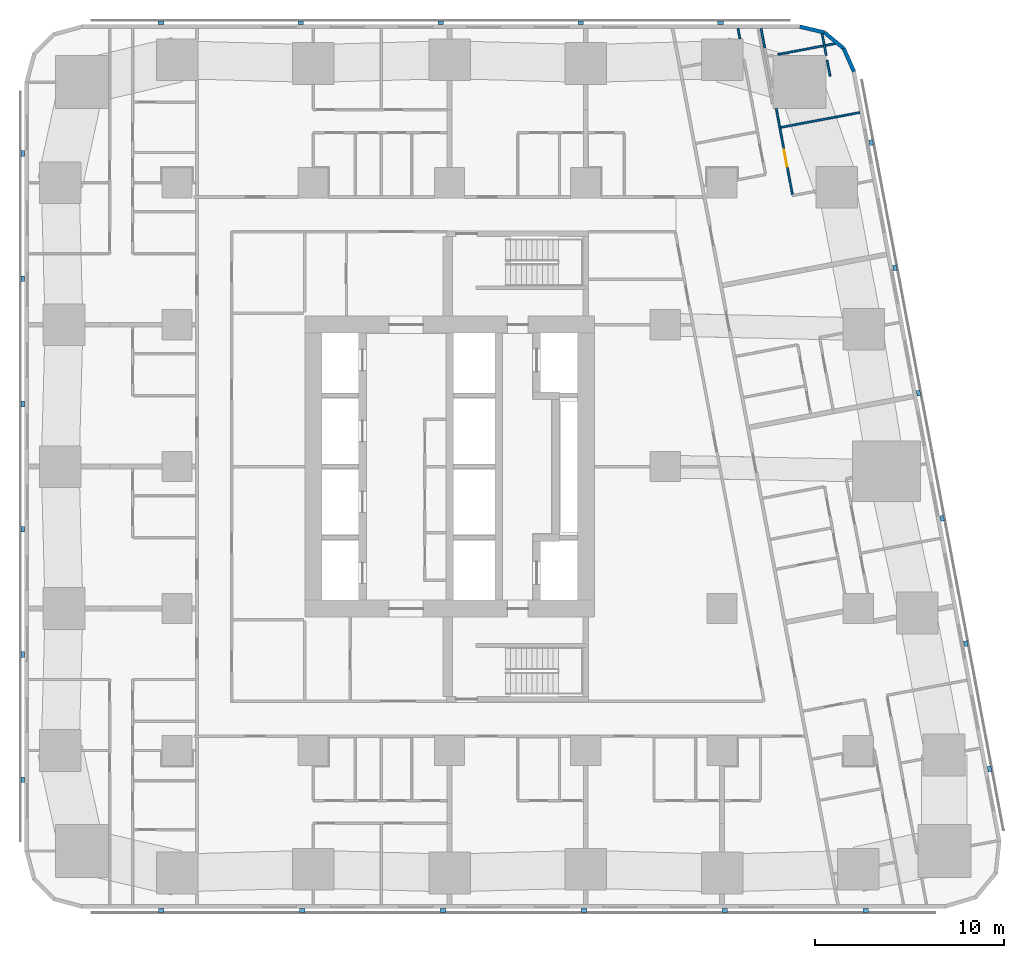
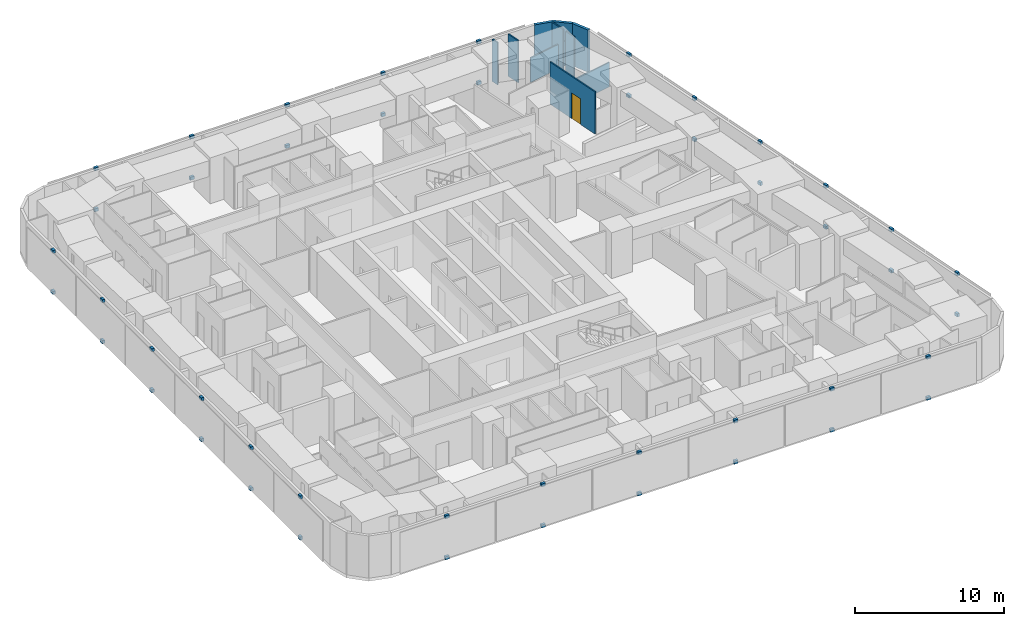
# One storey, part 10 of 14: 46 discrete accessories, 10 walls, 1 door, 1 opening.
"""IFC4 building model written with IfcOpenShell, lengths in metres."""

from ifc_helpers import new_model, si_unit, direction, frame, frame_2d, origin, origin_2d, place, context, subcontext, project, spatial, rectangle, extrude, material, layer, layer_set, type_object, element, fill, save


model = new_model("IFC4")

# Units and contexts
model_context = context("Model", 3, precision=1e-05, world=origin(), true_north=direction((0.0, 1.0)))
body_context = subcontext(model_context, "Body", "Model", "MODEL_VIEW")
ifc_project = project(units=[si_unit("LENGTHUNIT", "METRE"), si_unit("AREAUNIT", "SQUARE_METRE"), si_unit("VOLUMEUNIT", "CUBIC_METRE"), si_unit("PLANEANGLEUNIT", "RADIAN"), si_unit("MASSUNIT", "GRAM", prefix="KILO")], contexts=[model_context])

# Site, building, storey
site_placement = place(None, origin())
site = spatial("IfcSite", under=ifc_project, at=site_placement, CompositionType="ELEMENT")
building_placement = place(site_placement, origin())
building = spatial("IfcBuilding", under=site, at=building_placement, Name="Sheger Commons Tower", CompositionType="ELEMENT")
storey_placement = place(building_placement, frame((0.0, 0.0, 126.64990234375)))
storey = spatial("IfcBuildingStorey", under=building, at=storey_placement, Name="L32", CompositionType="ELEMENT", Elevation=126.64990234375)

# Walls
ifc_material_1 = material(Name="Rendered concrete block masonry, dark grey", Category="masonry")
ifc_layer_1 = layer(ifc_material_1, 0.199951171875)
ifc_layer_set_1 = layer_set([ifc_layer_1], Name="FACADE WALL 200")
wall_type_1 = type_object("IfcWallType", Name="FACADE WALL 200", PredefinedType="SOLIDWALL", material=ifc_layer_set_1)
wall_1_placement = place(storey_placement, frame((42.969970703125, 43.376953125, 0.0), z_axis=(0.0, 0.0, 1.0), x_axis=(-0.406002956633, 0.913871762998, 0.0)))
element("IfcWall", 1, at=wall_1_placement, inside=storey, type_object=wall_type_1, Name="Facade wall L32", PredefinedType="SOLIDWALL", context=body_context, shape_type="SweptSolid", body=[
    extrude(rectangle(XDim=1.33740234375, YDim=0.199951171875, at=frame_2d((0.668701171875, 0.0))), origin(), (0.0, 0.0, 1.0), 3.4501953125),
])
wall_2_placement = place(storey_placement, frame((42.427001953125, 44.59912109375, 0.0), z_axis=(0.0, 0.0, 1.0), x_axis=(-0.770091412544, 0.637933551655, 0.0)))
element("IfcWall", 2, at=wall_2_placement, inside=storey, type_object=wall_type_1, Name="Facade wall L32", PredefinedType="SOLIDWALL", context=body_context, shape_type="SweptSolid", body=[
    extrude(rectangle(XDim=1.324462890625, YDim=0.199951171875, at=frame_2d((0.662109375, 0.0))), origin(), (0.0, 0.0, 1.0), 3.4501953125),
])
wall_3_placement = place(storey_placement, frame((41.406982421875, 45.444091796875, 0.0), z_axis=(0.0, 0.0, 1.0), x_axis=(-0.973453091607, 0.228886606077, 0.0)))
element("IfcWall", 3, at=wall_3_placement, inside=storey, type_object=wall_type_1, Name="Facade wall L32", PredefinedType="SOLIDWALL", context=body_context, shape_type="SweptSolid", body=[
    extrude(rectangle(XDim=1.33642578125, YDim=0.199951171875, at=frame_2d((0.668212890625, 0.0))), origin(), (0.0, 0.0, 1.0), 3.4501953125),
])
ifc_material_2 = material(Name="Gypsum board on steel studs", Category="steel")
ifc_layer_2 = layer(ifc_material_2, 0.10009765625)
ifc_layer_set_2 = layer_set([ifc_layer_2], Name="PARTITION 100")
wall_type_2 = type_object("IfcWallType", Name="PARTITION 100", PredefinedType="PARTITIONING", material=ifc_layer_set_2)
wall_4_placement = place(storey_placement, frame((41.287109375, 45.3701171875, 0.0), z_axis=(0.0, 0.0, 1.0), x_axis=(0.185121628323, -0.982715616405, 0.0)))
element("IfcWall", 4, at=wall_4_placement, inside=storey, type_object=wall_type_2, Name="Partition L32", PredefinedType="PARTITIONING", context=body_context, shape_type="SweptSolid", body=[
    extrude(rectangle(XDim=1.14990234375, YDim=0.10009765625, at=frame_2d((0.574951171875, 0.0))), origin(), (0.0, 0.0, 1.0), 3.4501953125),
])
wall_5_placement = place(storey_placement, frame((41.551025390625, 43.968994140625, 0.0), z_axis=(0.0, 0.0, 1.0), x_axis=(0.185884171512, -0.982571663942, 0.0)))
element("IfcWall", 5, at=wall_5_placement, inside=storey, type_object=wall_type_2, Name="Partition L32", PredefinedType="PARTITIONING", context=body_context, shape_type="SweptSolid", body=[
    extrude(rectangle(XDim=0.849853515625, YDim=0.10009765625, at=frame_2d((0.4248046875, 0.0))), origin(), (0.0, 0.0, 1.0), 3.4501953125),
])
wall_6_placement = place(storey_placement, frame((38.06298828125, 45.64990234375, 0.0), z_axis=(0.0, 0.0, 1.0), x_axis=(0.185677287841, -0.982610779902, 0.0)))
element("IfcWall", 6, at=wall_6_placement, inside=storey, type_object=wall_type_2, Name="Partition L32", PredefinedType="PARTITIONING", context=body_context, shape_type="SweptSolid", body=[
    extrude(rectangle(XDim=1.0400390625, YDim=0.10009765625, at=frame_2d((0.52001953125, 0.0))), origin(), (0.0, 0.0, 1.0), 3.4501953125),
])

# Wall, opening, door
wall_7_placement = place(storey_placement, frame((38.862060546875, 41.419921875, 0.0), z_axis=(0.0, 0.0, 1.0), x_axis=(0.185332907641, -0.982675792592, 0.0)))
wall_7 = element("IfcWall", 7, at=wall_7_placement, inside=storey, type_object=wall_type_2, Name="Partition L32", PredefinedType="PARTITIONING", context=body_context, shape_type="SweptSolid", body=[
    extrude(rectangle(XDim=4.62890625, YDim=0.10009765625, at=frame_2d((2.314453125, 0.0))), origin(), (0.0, 0.0, 1.0), 3.4501953125),
])
opening_placement = place(wall_7_placement, frame((2.219970703125, 0.0, 0.0)))
opening = element("IfcOpeningElement", 8, at=opening_placement, cuts=wall_7, Name="Opening D2", PredefinedType="OPENING", context=body_context, shape_type="SweptSolid", body=[
    extrude(rectangle(XDim=0.89990234375, YDim=2.10009765625, at=frame_2d((0.449951171875, 1.050048828125))), frame((0.0, 0.06005859375, 0.0), z_axis=(0.0, -1.0, 0.0), x_axis=(1.0, 0.0, 0.0)), (0.0, 0.0, 1.0), 0.1201171875),
])
ifc_material_3 = material(Name="Timber door set", Category="wood")
door_type = type_object("IfcDoorType", Name="INTERNAL DOOR 900x2100", OperationType="NOTDEFINED", PredefinedType="DOOR", material=ifc_material_3)
door_placement = place(opening_placement, origin())
door = element("IfcDoor", 9, at=door_placement, inside=storey, type_object=door_type, Name="Main bedroom door", OperationType="SINGLE_SWING_LEFT", OverallHeight=2.10009765625, OverallWidth=0.89990234375, PredefinedType="DOOR", context=body_context, shape_type="SweptSolid", body=[
    extrude(rectangle(XDim=0.89990234375, YDim=2.10009765625, at=frame_2d((0.449951171875, 1.050048828125))), frame((0.0, 0.02490234375, 0.0), z_axis=(0.0, -1.0, 0.0), x_axis=(1.0, 0.0, 0.0)), (0.0, 0.0, 1.0), 0.050048828125),
])
fill(opening, door)

# Walls
wall_8_placement = place(storey_placement, frame((36.841064453125, 45.64990234375, 0.0), z_axis=(0.0, 0.0, 1.0), x_axis=(0.185764109712, -0.98259436979, 0.0)))
element("IfcWall", 10, at=wall_8_placement, inside=storey, type_object=wall_type_2, Name="Partition L32", PredefinedType="PARTITIONING", context=body_context, shape_type="SweptSolid", body=[
    extrude(rectangle(XDim=0.54931640625, YDim=0.10009765625, at=frame_2d((0.274658203125, 0.0))), origin(), (0.0, 0.0, 1.0), 3.4501953125),
])
wall_9_placement = place(storey_placement, frame((41.968017578125, 44.85009765625, 0.0), z_axis=(0.0, 0.0, 1.0), x_axis=(-0.982566714195, -0.185910333644, 0.0)))
element("IfcWall", 11, at=wall_9_placement, inside=storey, type_object=wall_type_2, Name="Partition L32", PredefinedType="PARTITIONING", context=body_context, shape_type="SweptSolid", body=[
    extrude(rectangle(XDim=3.071533203125, YDim=0.10009765625, at=frame_2d((1.53564453125, 0.0))), origin(), (0.0, 0.0, 1.0), 2.0),
])
wall_10_placement = place(storey_placement, frame((43.277099609375, 41.2119140625, 0.0), z_axis=(0.0, 0.0, 1.0), x_axis=(-0.982665405803, -0.185387972203, 0.0)))
element("IfcWall", 12, at=wall_10_placement, inside=storey, type_object=wall_type_2, Name="Partition L32", PredefinedType="PARTITIONING", context=body_context, shape_type="SweptSolid", body=[
    extrude(rectangle(XDim=4.249755859375, YDim=0.10009765625, at=frame_2d((2.125, 0.0))), origin(), (0.0, 0.0, 1.0), 2.0),
])

# Discrete accessories
ifc_material_4 = material(Name="Black painted steel bracket", Category="steel")
discrete_accessory_type = type_object("IfcDiscreteAccessoryType", Name="SCREEN BRACKET 300x200x250", PredefinedType="BRACKET", material=ifc_material_4)
for number, where, z_axis, x_axis, name in (
    (13, (6.37109375, -0.949951171875, -0.099853515625), (0.0, 0.0, 1.0), (1.0, 0.0, 0.0), "Solar screen foot bracket"),
    (14, (6.37109375, -0.949951171875, 3.25), (0.0, 0.0, 1.0), (1.0, 0.0, 0.0), "Solar screen head bracket"),
    (15, (13.81396484375, -0.949951171875, -0.099853515625), (0.0, 0.0, 1.0), (1.0, 0.0, 0.0), "Solar screen foot bracket"),
    (16, (13.81396484375, -0.949951171875, 3.25), (0.0, 0.0, 1.0), (1.0, 0.0, 0.0), "Solar screen head bracket"),
    (17, (21.257080078125, -0.949951171875, -0.099853515625), (0.0, 0.0, 1.0), (1.0, 0.0, 0.0), "Solar screen foot bracket"),
    (18, (21.257080078125, -0.949951171875, 3.25), (0.0, 0.0, 1.0), (1.0, 0.0, 0.0), "Solar screen head bracket"),
    (19, (28.698974609375, -0.949951171875, -0.099853515625), (0.0, 0.0, 1.0), (1.0, 0.0, 0.0), "Solar screen foot bracket"),
    (20, (28.698974609375, -0.949951171875, 3.25), (0.0, 0.0, 1.0), (1.0, 0.0, 0.0), "Solar screen head bracket"),
    (21, (36.14208984375, -0.949951171875, -0.099853515625), (0.0, 0.0, 1.0), (1.0, 0.0, 0.0), "Solar screen foot bracket"),
    (22, (36.14208984375, -0.949951171875, 3.25), (0.0, 0.0, 1.0), (1.0, 0.0, 0.0), "Solar screen head bracket"),
    (23, (43.5849609375, -0.949951171875, -0.099853515625), (0.0, 0.0, 1.0), (1.0, 0.0, 0.0), "Solar screen foot bracket"),
    (24, (43.5849609375, -0.949951171875, 3.25), (0.0, 0.0, 1.0), (1.0, 0.0, 0.0), "Solar screen head bracket"),
    (25, (50.134033203125, 6.527099609375, -0.099853515625), (0.0, 0.0, 1.0), (-0.185615165645, 0.982622516678, 0.0), "Solar screen foot bracket"),
    (26, (50.134033203125, 6.527099609375, 3.25), (0.0, 0.0, 1.0), (-0.185615165645, 0.982622516678, 0.0), "Solar screen head bracket"),
    (27, (48.884033203125, 13.14599609375, -0.099853515625), (0.0, 0.0, 1.0), (-0.185615165645, 0.982622516678, 0.0), "Solar screen foot bracket"),
    (28, (48.884033203125, 13.14599609375, 3.25), (0.0, 0.0, 1.0), (-0.185615165645, 0.982622516678, 0.0), "Solar screen head bracket"),
    (29, (47.633056640625, 19.76611328125, -0.099853515625), (0.0, 0.0, 1.0), (-0.185615165645, 0.982622516678, 0.0), "Solar screen foot bracket"),
    (30, (47.633056640625, 19.76611328125, 3.25), (0.0, 0.0, 1.0), (-0.185615165645, 0.982622516678, 0.0), "Solar screen head bracket"),
    (31, (46.383056640625, 26.385009765625, -0.099853515625), (0.0, 0.0, 1.0), (-0.185615165645, 0.982622516678, 0.0), "Solar screen foot bracket"),
    (32, (46.383056640625, 26.385009765625, 3.25), (0.0, 0.0, 1.0), (-0.185615165645, 0.982622516678, 0.0), "Solar screen head bracket"),
    (33, (45.133056640625, 33.0048828125, -0.099853515625), (0.0, 0.0, 1.0), (-0.185615165645, 0.982622516678, 0.0), "Solar screen foot bracket"),
    (34, (45.133056640625, 33.0048828125, 3.25), (0.0, 0.0, 1.0), (-0.185615165645, 0.982622516678, 0.0), "Solar screen head bracket"),
    (35, (43.882080078125, 39.6240234375, -0.099853515625), (0.0, 0.0, 1.0), (-0.185615165645, 0.982622516678, 0.0), "Solar screen foot bracket"),
    (36, (43.882080078125, 39.6240234375, 3.25), (0.0, 0.0, 1.0), (-0.185615165645, 0.982622516678, 0.0), "Solar screen head bracket"),
    (37, (35.9208984375, 45.949951171875, -0.099853515625), (0.0, 0.0, 1.0), (-1.0, 0.0, 0.0), "Solar screen foot bracket"),
    (38, (35.9208984375, 45.949951171875, 3.25), (0.0, 0.0, 1.0), (-1.0, 0.0, 0.0), "Solar screen head bracket"),
    (39, (28.528076171875, 45.949951171875, -0.099853515625), (0.0, 0.0, 1.0), (-1.0, 0.0, 0.0), "Solar screen foot bracket"),
    (40, (28.528076171875, 45.949951171875, 3.25), (0.0, 0.0, 1.0), (-1.0, 0.0, 0.0), "Solar screen head bracket"),
    (41, (21.134033203125, 45.949951171875, -0.099853515625), (0.0, 0.0, 1.0), (-1.0, 0.0, 0.0), "Solar screen foot bracket"),
    (42, (21.134033203125, 45.949951171875, 3.25), (0.0, 0.0, 1.0), (-1.0, 0.0, 0.0), "Solar screen head bracket"),
    (43, (13.739990234375, 45.949951171875, -0.099853515625), (0.0, 0.0, 1.0), (-1.0, 0.0, 0.0), "Solar screen foot bracket"),
    (44, (13.739990234375, 45.949951171875, 3.25), (0.0, 0.0, 1.0), (-1.0, 0.0, 0.0), "Solar screen head bracket"),
    (45, (6.346923828125, 45.949951171875, -0.099853515625), (0.0, 0.0, 1.0), (-1.0, 0.0, 0.0), "Solar screen foot bracket"),
    (46, (6.346923828125, 45.949951171875, 3.25), (0.0, 0.0, 1.0), (-1.0, 0.0, 0.0), "Solar screen head bracket"),
    (47, (-0.949951171875, 39.0419921875, -0.099853515625), (0.0, 0.0, 1.0), (0.0, -1.0, 0.0), "Solar screen foot bracket"),
    (48, (-0.949951171875, 39.0419921875, 3.25), (0.0, 0.0, 1.0), (0.0, -1.0, 0.0), "Solar screen head bracket"),
    (49, (-0.949951171875, 32.425048828125, -0.099853515625), (0.0, 0.0, 1.0), (0.0, -1.0, 0.0), "Solar screen foot bracket"),
    (50, (-0.949951171875, 32.425048828125, 3.25), (0.0, 0.0, 1.0), (0.0, -1.0, 0.0), "Solar screen head bracket"),
    (51, (-0.949951171875, 25.80810546875, -0.099853515625), (0.0, 0.0, 1.0), (0.0, -1.0, 0.0), "Solar screen foot bracket"),
    (52, (-0.949951171875, 25.80810546875, 3.25), (0.0, 0.0, 1.0), (0.0, -1.0, 0.0), "Solar screen head bracket"),
    (53, (-0.949951171875, 19.19189453125, -0.099853515625), (0.0, 0.0, 1.0), (0.0, -1.0, 0.0), "Solar screen foot bracket"),
    (54, (-0.949951171875, 19.19189453125, 3.25), (0.0, 0.0, 1.0), (0.0, -1.0, 0.0), "Solar screen head bracket"),
    (55, (-0.949951171875, 12.574951171875, -0.099853515625), (0.0, 0.0, 1.0), (0.0, -1.0, 0.0), "Solar screen foot bracket"),
    (56, (-0.949951171875, 12.574951171875, 3.25), (0.0, 0.0, 1.0), (0.0, -1.0, 0.0), "Solar screen head bracket"),
    (57, (-0.949951171875, 5.9580078125, -0.099853515625), (0.0, 0.0, 1.0), (0.0, -1.0, 0.0), "Solar screen foot bracket"),
    (58, (-0.949951171875, 5.9580078125, 3.25), (0.0, 0.0, 1.0), (0.0, -1.0, 0.0), "Solar screen head bracket"),
):
    element("IfcDiscreteAccessory", number, at=place(storey_placement, frame(where, z_axis=z_axis, x_axis=x_axis)), inside=storey, type_object=discrete_accessory_type, Name=name, PredefinedType="BRACKET", context=body_context, shape_type="SweptSolid", body=[
        extrude(rectangle(XDim=0.300048828125, YDim=0.199951171875, at=origin_2d()), origin(), (0.0, 0.0, 1.0), 0.25),
    ])

save(model, "model.ifc")
